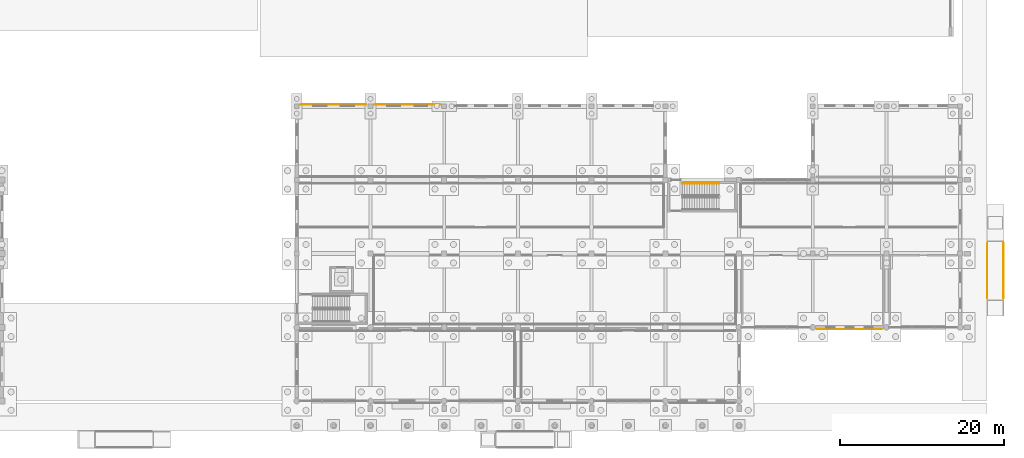
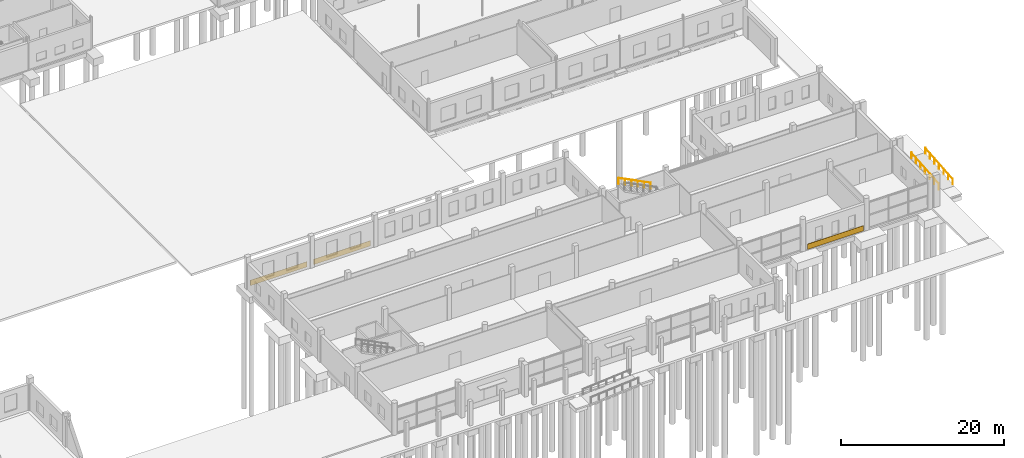
# One storey, part 107 of 112: 3 coverings, 3 railings.
"""IFC4 building model written with IfcOpenShell, lengths in metres."""

import ifcopenshell
import ifcopenshell.guid

model = None  # the IFC model being written
_history = None  # IfcOwnerHistory: only IFC2X3 demands one
_inside = {}  # id of a spatial element -> (the spatial element, [elements in it])
_under = {}  # id of a project, library or spatial element -> (it, [spatial elements below it])
_declared = {}  # id of a project -> (the project, [libraries it declares])
_typed = {}  # id of a type object -> (the type object, [elements of that type])
_made_of = {}  # id of a material, layer set ... -> (it, [elements and type objects made of it])


def new_model(schema):
    """Start an empty IFC model of exactly this schema.

    Asked for "IFC4X3", IfcOpenShell would pick the latest addendum, in which some entities
    have other attributes; the version numbers below select the first issue.
    IFC2X3 requires an IfcOwnerHistory on every rooted entity: one is made here for all.
    """
    global model, _history
    if schema == "IFC4X3":
        model = ifcopenshell.file(schema_version=(4, 3, 0, 0))
    else:
        model = ifcopenshell.file(schema=schema)
    _inside.clear()
    _under.clear()
    _declared.clear()
    _typed.clear()
    _made_of.clear()
    _history = None
    if model.schema == "IFC2X3":
        org = make("IfcOrganization", Name="unknown")
        user = make(
            "IfcPersonAndOrganization",
            ThePerson=make("IfcPerson", FamilyName="unknown"),
            TheOrganization=org,
        )
        app = make(
            "IfcApplication",
            ApplicationDeveloper=org,
            Version="unknown",
            ApplicationFullName="unknown",
            ApplicationIdentifier="unknown",
        )
        _history = make(
            "IfcOwnerHistory",
            OwningUser=user,
            OwningApplication=app,
            ChangeAction="ADDED",
            CreationDate=0,
        )
    return model


def make(cls, **values):
    """One entity of the class cls with the attributes given. An attribute that is None is left unset."""
    return model.create_entity(
        cls, **{name: value for name, value in values.items() if value is not None}
    )


def rooted(cls, **values):
    """An entity with a GlobalId (a new one), such as an element, a storey or a relation."""
    return make(cls, GlobalId=ifcopenshell.guid.new(), OwnerHistory=_history, **values)


def si_unit(unit_type, name, prefix=None):
    """IfcSIUnit, for example si_unit("LENGTHUNIT", "METRE", prefix="MILLI")."""
    return make("IfcSIUnit", UnitType=unit_type, Prefix=prefix, Name=name)


def assignment(units):
    """IfcUnitAssignment: the units of a project."""
    return None if units is None else make("IfcUnitAssignment", Units=units)


def point(xyz):
    """IfcCartesianPoint."""
    return None if xyz is None else make("IfcCartesianPoint", Coordinates=xyz)


def direction(xyz):
    """IfcDirection."""
    return None if xyz is None else make("IfcDirection", DirectionRatios=xyz)


def frame(location, z_axis=None, x_axis=None):
    """IfcAxis2Placement3D, a coordinate frame: its origin and axes. An axis left out is left unset."""
    return make(
        "IfcAxis2Placement3D",
        Location=point(location),
        Axis=direction(z_axis),
        RefDirection=direction(x_axis),
    )


def frame_2d(location, x_axis=None):
    """IfcAxis2Placement2D, a coordinate frame in the plane: its origin and x axis."""
    return make(
        "IfcAxis2Placement2D", Location=point(location), RefDirection=direction(x_axis)
    )


def origin():
    """The frame at (0, 0, 0) with its axes left unset."""
    return frame((0.0, 0.0, 0.0))


def origin_2d():
    """The frame at (0, 0) in the plane with its x axis left unset."""
    return frame_2d((0.0, 0.0))


def place(relative_to, where):
    """IfcLocalPlacement: puts the frame where relative to a parent placement (None: the world)."""
    return make(
        "IfcLocalPlacement", PlacementRelTo=relative_to, RelativePlacement=where
    )


def context(
    kind, dimensions, precision=None, world=None, true_north=None, identifier=None
):
    """IfcGeometricRepresentationContext, for example the 3D "Model" context."""
    return make(
        "IfcGeometricRepresentationContext",
        ContextIdentifier=identifier,
        ContextType=kind,
        CoordinateSpaceDimension=dimensions,
        Precision=precision,
        WorldCoordinateSystem=world,
        TrueNorth=true_north,
    )


def subcontext(parent, identifier, kind, view, scale=None):
    """IfcGeometricRepresentationSubContext, for example "Body" below "Model"."""
    return make(
        "IfcGeometricRepresentationSubContext",
        ContextIdentifier=identifier,
        ContextType=kind,
        ParentContext=parent,
        TargetScale=scale,
        TargetView=view,
    )


def project(units=None, contexts=None):
    """IfcProject with its units and contexts."""
    return rooted(
        "IfcProject",
        Name="project",
        RepresentationContexts=contexts,
        UnitsInContext=assignment(units),
    )


def spatial(cls, under=None, at=None, **own):
    """A site, building, storey or space (cls), placed at a placement, below another one or the project."""
    s = rooted(cls, ObjectPlacement=at, **own)
    if under is not None:
        _under.setdefault(under.id(), (under, []))[1].append(s)
    return s


def profile(cls, at=None, kind="AREA", **sizes):
    """A parametric profile (cls). Its sizes go by their IFC names, for example OverallWidth=200.0."""
    return make(cls, ProfileType=kind, Position=at, **sizes)


def rectangle(**sizes):
    """IfcRectangleProfileDef."""
    return profile("IfcRectangleProfileDef", **sizes)


def circle(**sizes):
    """IfcCircleProfileDef."""
    return profile("IfcCircleProfileDef", **sizes)


def extrude(swept, where, along, depth):
    """IfcExtrudedAreaSolid: the profile swept, set in the frame where, extruded along a direction by depth."""
    return make(
        "IfcExtrudedAreaSolid",
        SweptArea=swept,
        Position=where,
        ExtrudedDirection=direction(along),
        Depth=depth,
    )


def shape(context_of_items, identifier, shape_type, items):
    """IfcShapeRepresentation: the items that make up one representation, for example the "Body"."""
    return make(
        "IfcShapeRepresentation",
        ContextOfItems=context_of_items,
        RepresentationIdentifier=identifier,
        RepresentationType=shape_type,
        Items=items,
    )


def material(Name=None, Category=None):
    """IfcMaterial."""
    return make("IfcMaterial", Name=Name, Category=Category)


def layer(
    of_material, thickness, ventilated=None, Name=None, Category=None, Priority=None
):
    """IfcMaterialLayer: one layer of a wall or slab, of a material (None: an air gap)."""
    return make(
        "IfcMaterialLayer",
        Material=of_material,
        LayerThickness=thickness,
        IsVentilated=ventilated,
        Name=Name,
        Category=Category,
        Priority=Priority,
    )


def layer_set(layers, Name=None):
    """IfcMaterialLayerSet."""
    return make("IfcMaterialLayerSet", MaterialLayers=layers, LayerSetName=Name)


def made_of(thing, what):
    """Note that an element or type object is made of a material, layer set ...; save() writes the relation."""
    if what is not None:
        _made_of.setdefault(what.id(), (what, []))[1].append(thing)
    return thing


def type_object(cls, material=None, **own):
    """A type object (cls), such as IfcWallType, which elements share."""
    return made_of(rooted(cls, **own), material)


def element(
    cls,
    number,
    at=None,
    inside=None,
    cuts=None,
    type_object=None,
    material=None,
    context=None,
    identifier="Body",
    shape_type=None,
    held_by="IfcProductDefinitionShape",
    body=None,
    shapes=None,
    **own,
):
    """One element of the class cls, such as IfcWall. Its Tag is "e" and its number.

    at: its placement. inside: the storey or other place that contains it. cuts: it is an
    opening in that element (IfcRelVoidsElement). A single representation is given by context,
    identifier, shape_type and body (its items); several are given by shapes. held_by: the class
    of the entity that holds the representations. save() writes the other relations.
    """
    e = rooted(cls, Tag="e%d" % number, ObjectPlacement=at, **own)
    if body is not None:
        shapes = [shape(context, identifier, shape_type, body)]
    if shapes is not None:
        e.Representation = make(held_by, Representations=shapes)
    if inside is not None:
        _inside.setdefault(inside.id(), (inside, []))[1].append(e)
    if cuts is not None:
        rooted(
            "IfcRelVoidsElement", RelatingBuildingElement=cuts, RelatedOpeningElement=e
        )
    if type_object is not None:
        _typed.setdefault(type_object.id(), (type_object, []))[1].append(e)
    return made_of(e, material)


def aggregate(whole, parts):
    """IfcRelAggregates: a whole, such as a stair, and the parts it consists of."""
    return rooted("IfcRelAggregates", RelatingObject=whole, RelatedObjects=parts)


def save(model, path):
    """Write the relations noted so far, then the file.

    IfcRelAggregates (storeys below a building ...), IfcRelContainedInSpatialStructure (elements
    in a storey), IfcRelDefinesByType, IfcRelAssociatesMaterial and IfcRelDeclares: one each for
    every whole, place, type object, material and project.
    """
    for whole, parts in _under.values():
        aggregate(whole, parts)
    for where, things in _inside.values():
        rooted(
            "IfcRelContainedInSpatialStructure",
            RelatedElements=things,
            RelatingStructure=where,
        )
    for kind, things in _typed.values():
        rooted("IfcRelDefinesByType", RelatedObjects=things, RelatingType=kind)
    for what, things in _made_of.values():
        rooted("IfcRelAssociatesMaterial", RelatedObjects=things, RelatingMaterial=what)
    for by, libraries in _declared.values():
        rooted("IfcRelDeclares", RelatingContext=by, RelatedDefinitions=libraries)
    model.write(path)


model = new_model("IFC4")

# Units and contexts
model_context = context("Model", 3, precision=1e-05, world=origin(), true_north=direction((0.0, 1.0)))
body_context = subcontext(model_context, "Body", "Model", "MODEL_VIEW")
ifc_project = project(units=[si_unit("LENGTHUNIT", "METRE"), si_unit("AREAUNIT", "SQUARE_METRE"), si_unit("VOLUMEUNIT", "CUBIC_METRE"), si_unit("PLANEANGLEUNIT", "RADIAN"), si_unit("MASSUNIT", "GRAM", prefix="KILO")], contexts=[model_context])

# Site, building, storey
site_placement = place(None, origin())
site = spatial("IfcSite", under=ifc_project, at=site_placement, CompositionType="ELEMENT")
building_placement = place(site_placement, origin())
building = spatial("IfcBuilding", under=site, at=building_placement, Name="Tharagai Park Tramway Depot", CompositionType="ELEMENT")
storey_placement = place(building_placement, origin())
storey = spatial("IfcBuildingStorey", under=building, at=storey_placement, Name="L00", CompositionType="ELEMENT", Elevation=0.0)

# Coverings
ifc_material_1 = material(Name="Charnockite stone", Category="masonry")
ifc_layer = layer(ifc_material_1, 0.0400390625)
ifc_layer_set = layer_set([ifc_layer], Name="Charnockite stone")
covering_type = type_object("IfcCoveringType", Name="CV-02", PredefinedType="CLADDING", material=ifc_layer_set)
covering_placement = place(storey_placement, frame((202.5, 8.77490234375, 0.02001953125), z_axis=(0.0, 0.0, 1.0), x_axis=(1.0, 0.0, 0.0)))
element("IfcCovering", 1, at=covering_placement, inside=storey, type_object=covering_type, Name="Charnockite Plinth Cladding CV-02 #10", PredefinedType="CLADDING", context=body_context, shape_type="SweptSolid", body=[
    extrude(rectangle(XDim=7.904052734375, YDim=0.0400390625, at=origin_2d()), origin(), (0.0, 0.0, 1.0), 0.800048828125),
])
for number, where, z_axis, x_axis, name in (
    (2, (139.5, 36.22509765625, 0.02001953125), (0.0, 0.0, 1.0), (1.0, 0.0, 0.0), "Charnockite Plinth Cladding CV-02 #13"),
    (3, (148.5, 36.22509765625, 0.02001953125), (0.0, 0.0, 1.0), (1.0, 0.0, 0.0), "Charnockite Plinth Cladding CV-02 #14"),
):
    element("IfcCovering", number, at=place(storey_placement, frame(where, z_axis=z_axis, x_axis=x_axis)), inside=storey, type_object=covering_type, Name=name, PredefinedType="CLADDING", context=body_context, shape_type="SweptSolid", body=[
        extrude(rectangle(XDim=8.00390625, YDim=0.0400390625, at=origin_2d()), origin(), (0.0, 0.0, 1.0), 0.800048828125),
    ])

# Railings
ifc_material_2 = material(Name="Galvanised steel", Category="steel")
railing_type_1 = type_object("IfcRailingType", Name="GR-02", PredefinedType="HANDRAIL", material=ifc_material_2)
for number, where, name in (
    (4, (219.31005859375, 12.550048828125, -0.5791015625), "Ramp RMP-06 Handrail L"),
    (5, (221.2900390625, 12.550048828125, -0.5791015625), "Ramp RMP-06 Handrail R"),
):
    element("IfcRailing", number, at=place(storey_placement, frame(where)), inside=storey, type_object=railing_type_1, Name=name, PredefinedType="HANDRAIL", context=body_context, shape_type="SweptSolid", body=[
        extrude(circle(Radius=0.02392578125, at=origin_2d()), frame((0.0, 0.0, 0.89599609375), z_axis=(0.0, 0.996545507804, 0.083048485091), x_axis=(-1.0, 0.0, 0.0)), (0.0, 0.0, 1.0), 6.72314453125),
        extrude(circle(Radius=0.02099609375, at=origin_2d()), origin(), (0.0, 0.0, 1.0), 0.871826171875),
        extrude(circle(Radius=0.02099609375, at=origin_2d()), frame((0.0, 1.11669921875, 0.093017578125)), (0.0, 0.0, 1.0), 0.871826171875),
        extrude(circle(Radius=0.02099609375, at=origin_2d()), frame((0.0, 2.2333984375, 0.18603515625)), (0.0, 0.0, 1.0), 0.871826171875),
        extrude(circle(Radius=0.02099609375, at=origin_2d()), frame((0.0, 3.35009765625, 0.279296875)), (0.0, 0.0, 1.0), 0.871826171875),
        extrude(circle(Radius=0.02099609375, at=origin_2d()), frame((0.0, 4.466552734375, 0.372314453125)), (0.0, 0.0, 1.0), 0.871826171875),
        extrude(circle(Radius=0.02099609375, at=origin_2d()), frame((0.0, 5.583251953125, 0.46533203125)), (0.0, 0.0, 1.0), 0.871826171875),
        extrude(circle(Radius=0.02099609375, at=origin_2d()), frame((0.0, 6.699951171875, 0.558349609375)), (0.0, 0.0, 1.0), 0.871826171875),
    ])
railing_type_2 = type_object("IfcRailingType", Name="HR-03", PredefinedType="HANDRAIL", material=ifc_material_2)
railing_placement = place(storey_placement, frame((186.570068359375, 26.550048828125, 2.550048828125)))
element("IfcRailing", 6, at=railing_placement, inside=storey, type_object=railing_type_2, Name="L00 ST-07 stair handrail 2", PredefinedType="HANDRAIL", context=body_context, shape_type="SweptSolid", body=[
    extrude(circle(Radius=0.02392578125, at=origin_2d()), frame((0.0, 0.0, 0.8759765625), z_axis=(-0.894427191, 0.0, 0.4472135955), x_axis=(0.0, -1.0, 0.0)), (0.0, 0.0, 1.0), 5.03125),
    extrude(circle(Radius=0.02099609375, at=origin_2d()), origin(), (0.0, 0.0, 1.0), 0.851806640625),
    extrude(circle(Radius=0.02099609375, at=origin_2d()), frame((-0.89990234375, 0.0, 0.449951171875)), (0.0, 0.0, 1.0), 0.851806640625),
    extrude(circle(Radius=0.02099609375, at=origin_2d()), frame((-1.800048828125, 0.0, 0.89990234375)), (0.0, 0.0, 1.0), 0.851806640625),
    extrude(circle(Radius=0.02099609375, at=origin_2d()), frame((-2.699951171875, 0.0, 1.35009765625)), (0.0, 0.0, 1.0), 0.851806640625),
    extrude(circle(Radius=0.02099609375, at=origin_2d()), frame((-3.60009765625, 0.0, 1.800048828125)), (0.0, 0.0, 1.0), 0.851806640625),
    extrude(circle(Radius=0.02099609375, at=origin_2d()), frame((-4.5, 0.0, 2.25)), (0.0, 0.0, 1.0), 0.851806640625),
])

save(model, "model.ifc")
